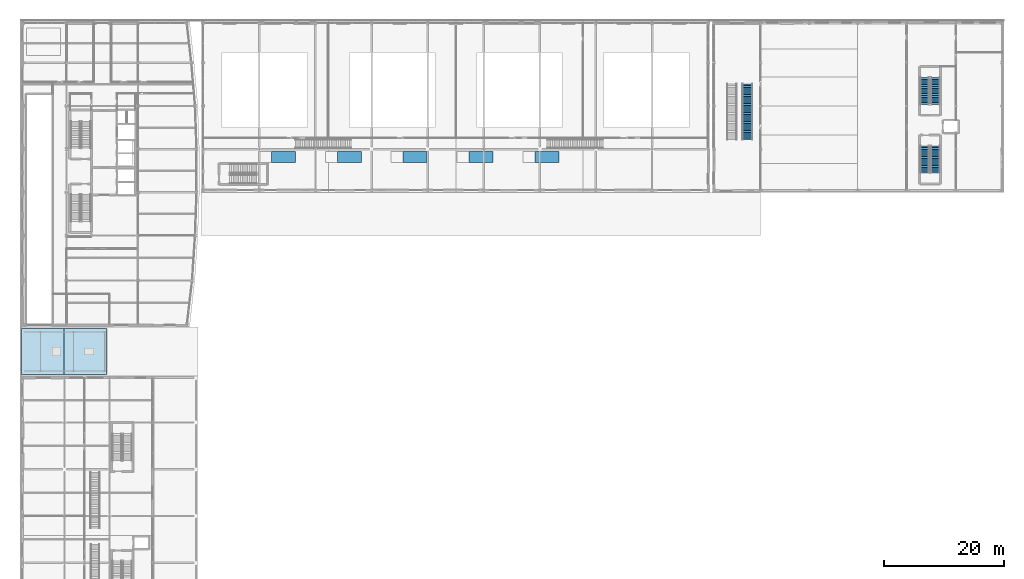
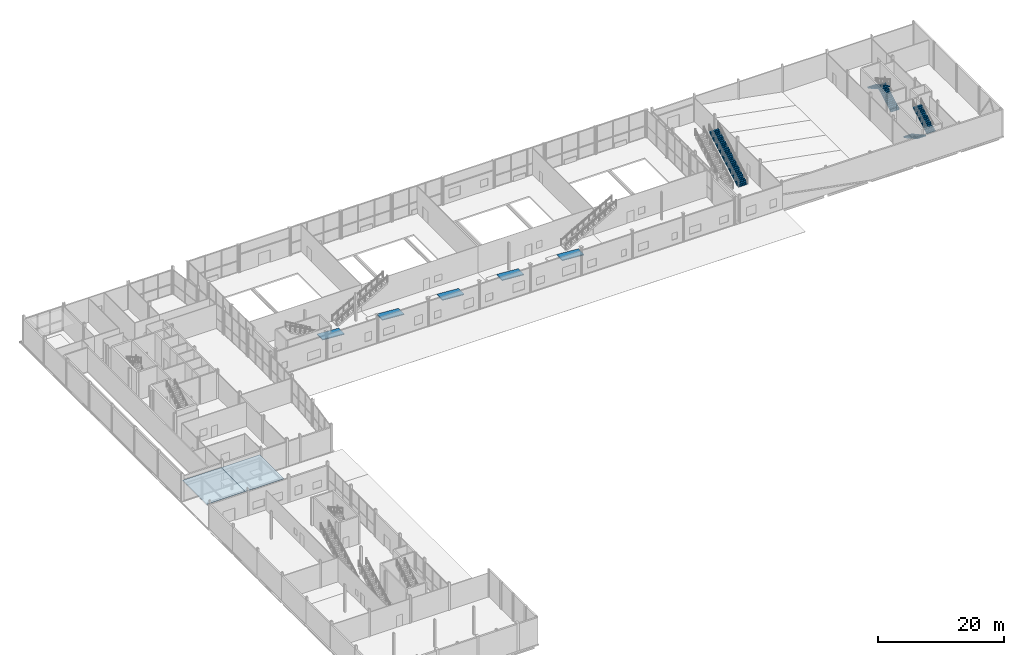
# One storey, part 74 of 83: 5 ramp flights, 5 stair flights, 2 roofs, 8 elements without a shape of their own.
"""IFC4 building model written with IfcOpenShell, lengths in metres."""

from ifc_helpers import new_model, si_unit, direction, frame, origin, place, context, subcontext, project, spatial, polyline, outline, extrude, material, type_object, element, aggregate, save


model = new_model("IFC4")

# Units and contexts
model_context = context("Model", 3, precision=1e-05, world=origin(), true_north=direction((0.0, 1.0)))
body_context = subcontext(model_context, "Body", "Model", "MODEL_VIEW")
ifc_project = project(units=[si_unit("LENGTHUNIT", "METRE"), si_unit("AREAUNIT", "SQUARE_METRE"), si_unit("VOLUMEUNIT", "CUBIC_METRE"), si_unit("PLANEANGLEUNIT", "RADIAN"), si_unit("MASSUNIT", "GRAM", prefix="KILO")], contexts=[model_context])

# Site, building, storey
site_placement = place(None, origin())
site = spatial("IfcSite", under=ifc_project, at=site_placement, CompositionType="ELEMENT")
building_placement = place(site_placement, origin())
building = spatial("IfcBuilding", under=site, at=building_placement, Name="Quillay Park Conservatory", CompositionType="ELEMENT")
storey_placement = place(building_placement, origin())
storey = spatial("IfcBuildingStorey", under=building, at=storey_placement, Name="L00", CompositionType="ELEMENT", Elevation=0.0)

# Stair, stair flight
ifc_material_1 = material(Name="Steel ASTM A992 Grade 50", Category="steel")
stair_type_1 = type_object("IfcStairType", Name="STRAIGHT FEATURE STAIR 06", PredefinedType="STRAIGHT_RUN_STAIR", material=ifc_material_1)
stair_1_placement = place(storey_placement, origin())
stair_1 = element("IfcStair", 1, at=stair_1_placement, inside=storey, type_object=stair_type_1, Name="L00 Feature Straight Stair 06", PredefinedType="STRAIGHT_RUN_STAIR")
ifc_material_2 = material(Name="Steel ASTM A992 Grade 50", Category="steel")
stair_flight_type_1 = type_object("IfcStairFlightType", Name="STRAIGHT FEATURE FLIGHT 06", PredefinedType="STRAIGHT", material=ifc_material_2)
stair_flight_1_placement = place(storey_placement, frame((121.39990234375, 94.0, 0.0), z_axis=(0.0, 0.0, 1.0), x_axis=(0.0, 1.0, 0.0)))
stair_flight_1 = element("IfcStairFlight", 2, at=stair_flight_1_placement, type_object=stair_flight_type_1, Name="ST-FT06 flight 1", NumberOfRisers=32, NumberOfTreads=31, PredefinedType="STRAIGHT", RiserHeight=0.16875, TreadLength=0.3, context=body_context, shape_type="SweptSolid", body=[
    extrude(outline(polyline([(0.0, 0.0), (0.0, 0.168701171875), (0.300048828125, 0.168701171875), (0.300048828125, 0.33740234375), (0.60009765625, 0.33740234375), (0.60009765625, 0.50634765625), (0.89990234375, 0.50634765625), (0.89990234375, 0.675048828125), (1.199951171875, 0.675048828125), (1.199951171875, 0.84375), (1.5, 0.84375), (1.5, 1.012451171875), (1.800048828125, 1.012451171875), (1.800048828125, 1.18115234375), (2.10009765625, 1.18115234375), (2.10009765625, 1.35009765625), (2.39990234375, 1.35009765625), (2.39990234375, 1.518798828125), (2.699951171875, 1.518798828125), (2.699951171875, 1.6875), (3.0, 1.6875), (3.0, 1.856201171875), (3.300048828125, 1.856201171875), (3.300048828125, 2.02490234375), (3.60009765625, 2.02490234375), (3.60009765625, 2.19384765625), (3.89990234375, 2.19384765625), (3.89990234375, 2.362548828125), (4.199951171875, 2.362548828125), (4.199951171875, 2.53125), (4.5, 2.53125), (4.5, 2.699951171875), (4.800048828125, 2.699951171875), (4.800048828125, 2.86865234375), (5.10009765625, 2.86865234375), (5.10009765625, 3.03759765625), (5.39990234375, 3.03759765625), (5.39990234375, 3.206298828125), (5.699951171875, 3.206298828125), (5.699951171875, 3.375), (6.0, 3.375), (6.0, 3.543701171875), (6.300048828125, 3.543701171875), (6.300048828125, 3.71240234375), (6.60009765625, 3.71240234375), (6.60009765625, 3.88134765625), (6.89990234375, 3.88134765625), (6.89990234375, 4.050048828125), (7.199951171875, 4.050048828125), (7.199951171875, 4.21875), (7.5, 4.21875), (7.5, 4.387451171875), (7.800048828125, 4.387451171875), (7.800048828125, 4.55615234375), (8.10009765625, 4.55615234375), (8.10009765625, 4.72509765625), (8.39990234375, 4.72509765625), (8.39990234375, 4.893798828125), (8.699951171875, 4.893798828125), (8.699951171875, 5.0625), (9.0, 5.0625), (9.0, 5.231201171875), (9.300048828125, 5.231201171875), (9.300048828125, 5.39990234375), (9.300048828125, 4.955810546875), (0.489501953125, 0.0), (0.0, 0.0)])), frame((0.0, 0.85009765625, 0.0), z_axis=(0.0, -1.0, 0.0), x_axis=(1.0, 0.0, 0.0)), (0.0, 0.0, 1.0), 1.699951171875),
])
aggregate(stair_1, [stair_flight_1])

# Stair, stair flights
ifc_material_3 = material(Name="Concrete C35/45 (NCh170 Concrete C35/45)", Category="concrete")
stair_type_2 = type_object("IfcStairType", Name="ENCLOSED DOG LEG STAIR 5400", PredefinedType="HALF_TURN_STAIR", material=ifc_material_3)
stair_2_placement = place(storey_placement, origin())
stair_2 = element("IfcStair", 3, at=stair_2_placement, inside=storey, type_object=stair_type_2, Name="L00 Auditorium Exit Stair 1", PredefinedType="HALF_TURN_STAIR")
ifc_material_4 = material(Name="Concrete C35/45 (NCh170 Concrete C35/45)", Category="concrete")
stair_flight_type_2 = type_object("IfcStairFlightType", Name="STRAIGHT STAIR FLIGHT 5400", PredefinedType="STRAIGHT", material=ifc_material_4)
stair_flight_2_placement = place(storey_placement, frame((150.97998046875, 92.949951171875, 0.0), z_axis=(0.0, 0.0, 1.0), x_axis=(0.0, -1.0, 0.0)))
stair_flight_2 = element("IfcStairFlight", 4, at=stair_flight_2_placement, type_object=stair_flight_type_2, Name="ST-A1 flight 1", NumberOfRisers=16, NumberOfTreads=15, PredefinedType="STRAIGHT", RiserHeight=0.16875, TreadLength=0.3, context=body_context, shape_type="SweptSolid", body=[
    extrude(outline(polyline([(0.0, 0.0), (0.0, 0.168701171875), (0.300048828125, 0.168701171875), (0.300048828125, 0.33740234375), (0.60009765625, 0.33740234375), (0.60009765625, 0.50634765625), (0.89990234375, 0.50634765625), (0.89990234375, 0.675048828125), (1.199951171875, 0.675048828125), (1.199951171875, 0.84375), (1.5, 0.84375), (1.5, 1.012451171875), (1.800048828125, 1.012451171875), (1.800048828125, 1.18115234375), (2.10009765625, 1.18115234375), (2.10009765625, 1.35009765625), (2.39990234375, 1.35009765625), (2.39990234375, 1.518798828125), (2.699951171875, 1.518798828125), (2.699951171875, 1.6875), (3.0, 1.6875), (3.0, 1.856201171875), (3.300048828125, 1.856201171875), (3.300048828125, 2.02490234375), (3.60009765625, 2.02490234375), (3.60009765625, 2.19384765625), (3.89990234375, 2.19384765625), (3.89990234375, 2.362548828125), (4.199951171875, 2.362548828125), (4.199951171875, 2.53125), (4.5, 2.53125), (4.5, 2.699951171875), (4.5, 2.359375), (0.3056640625, 0.0), (0.0, 0.0)])), frame((0.0, 0.780029296875, 0.0), z_axis=(0.0, -1.0, 0.0), x_axis=(1.0, 0.0, 0.0)), (0.0, 0.0, 1.0), 1.56005859375),
])
stair_flight_3_placement = place(storey_placement, frame((152.739990234375, 88.449951171875, 2.699951171875), z_axis=(0.0, 0.0, 1.0), x_axis=(0.0, 1.0, 0.0)))
stair_flight_3 = element("IfcStairFlight", 5, at=stair_flight_3_placement, type_object=stair_flight_type_2, Name="ST-A1 flight 2", NumberOfRisers=16, NumberOfTreads=15, PredefinedType="STRAIGHT", RiserHeight=0.16875, TreadLength=0.3, context=body_context, shape_type="SweptSolid", body=[
    extrude(outline(polyline([(0.0, 0.0), (0.0, 0.168701171875), (0.300048828125, 0.168701171875), (0.300048828125, 0.33740234375), (0.60009765625, 0.33740234375), (0.60009765625, 0.50634765625), (0.89990234375, 0.50634765625), (0.89990234375, 0.675048828125), (1.199951171875, 0.675048828125), (1.199951171875, 0.84375), (1.5, 0.84375), (1.5, 1.012451171875), (1.800048828125, 1.012451171875), (1.800048828125, 1.18115234375), (2.10009765625, 1.18115234375), (2.10009765625, 1.35009765625), (2.39990234375, 1.35009765625), (2.39990234375, 1.518798828125), (2.699951171875, 1.518798828125), (2.699951171875, 1.6875), (3.0, 1.6875), (3.0, 1.856201171875), (3.300048828125, 1.856201171875), (3.300048828125, 2.02490234375), (3.60009765625, 2.02490234375), (3.60009765625, 2.19384765625), (3.89990234375, 2.19384765625), (3.89990234375, 2.362548828125), (4.199951171875, 2.362548828125), (4.199951171875, 2.53125), (4.5, 2.53125), (4.5, 2.699951171875), (4.5, 2.359375), (0.3056640625, 0.0), (0.0, 0.0)])), frame((0.0, 0.780029296875, 0.0), z_axis=(0.0, -1.0, 0.0), x_axis=(1.0, 0.0, 0.0)), (0.0, 0.0, 1.0), 1.56005859375),
])
aggregate(stair_2, [stair_flight_2, stair_flight_3])

stair_3_placement = place(storey_placement, origin())
stair_3 = element("IfcStair", 6, at=stair_3_placement, inside=storey, type_object=stair_type_2, Name="L00 Auditorium Exit Stair 2", PredefinedType="HALF_TURN_STAIR")
stair_flight_4_placement = place(storey_placement, frame((152.739990234375, 99.85009765625, 0.0), z_axis=(0.0, 0.0, 1.0), x_axis=(0.0, 1.0, 0.0)))
stair_flight_4 = element("IfcStairFlight", 7, at=stair_flight_4_placement, type_object=stair_flight_type_2, Name="ST-A2 flight 1", NumberOfRisers=16, NumberOfTreads=15, PredefinedType="STRAIGHT", RiserHeight=0.16875, TreadLength=0.3, context=body_context, shape_type="SweptSolid", body=[
    extrude(outline(polyline([(0.0, 0.0), (0.0, 0.168701171875), (0.300048828125, 0.168701171875), (0.300048828125, 0.33740234375), (0.60009765625, 0.33740234375), (0.60009765625, 0.50634765625), (0.89990234375, 0.50634765625), (0.89990234375, 0.675048828125), (1.199951171875, 0.675048828125), (1.199951171875, 0.84375), (1.5, 0.84375), (1.5, 1.012451171875), (1.800048828125, 1.012451171875), (1.800048828125, 1.18115234375), (2.10009765625, 1.18115234375), (2.10009765625, 1.35009765625), (2.39990234375, 1.35009765625), (2.39990234375, 1.518798828125), (2.699951171875, 1.518798828125), (2.699951171875, 1.6875), (3.0, 1.6875), (3.0, 1.856201171875), (3.300048828125, 1.856201171875), (3.300048828125, 2.02490234375), (3.60009765625, 2.02490234375), (3.60009765625, 2.19384765625), (3.89990234375, 2.19384765625), (3.89990234375, 2.362548828125), (4.199951171875, 2.362548828125), (4.199951171875, 2.53125), (4.5, 2.53125), (4.5, 2.699951171875), (4.5, 2.359375), (0.3056640625, 0.0), (0.0, 0.0)])), frame((0.0, 0.780029296875, 0.0), z_axis=(0.0, -1.0, 0.0), x_axis=(1.0, 0.0, 0.0)), (0.0, 0.0, 1.0), 1.56005859375),
])
stair_flight_5_placement = place(storey_placement, frame((150.97998046875, 104.35009765625, 2.699951171875), z_axis=(0.0, 0.0, 1.0), x_axis=(0.0, -1.0, 0.0)))
stair_flight_5 = element("IfcStairFlight", 8, at=stair_flight_5_placement, type_object=stair_flight_type_2, Name="ST-A2 flight 2", NumberOfRisers=16, NumberOfTreads=15, PredefinedType="STRAIGHT", RiserHeight=0.16875, TreadLength=0.3, context=body_context, shape_type="SweptSolid", body=[
    extrude(outline(polyline([(0.0, 0.0), (0.0, 0.168701171875), (0.300048828125, 0.168701171875), (0.300048828125, 0.33740234375), (0.60009765625, 0.33740234375), (0.60009765625, 0.50634765625), (0.89990234375, 0.50634765625), (0.89990234375, 0.675048828125), (1.199951171875, 0.675048828125), (1.199951171875, 0.84375), (1.5, 0.84375), (1.5, 1.012451171875), (1.800048828125, 1.012451171875), (1.800048828125, 1.18115234375), (2.10009765625, 1.18115234375), (2.10009765625, 1.35009765625), (2.39990234375, 1.35009765625), (2.39990234375, 1.518798828125), (2.699951171875, 1.518798828125), (2.699951171875, 1.6875), (3.0, 1.6875), (3.0, 1.856201171875), (3.300048828125, 1.856201171875), (3.300048828125, 2.02490234375), (3.60009765625, 2.02490234375), (3.60009765625, 2.19384765625), (3.89990234375, 2.19384765625), (3.89990234375, 2.362548828125), (4.199951171875, 2.362548828125), (4.199951171875, 2.53125), (4.5, 2.53125), (4.5, 2.699951171875), (4.5, 2.359375), (0.3056640625, 0.0), (0.0, 0.0)])), frame((0.0, 0.780029296875, 0.0), z_axis=(0.0, -1.0, 0.0), x_axis=(1.0, 0.0, 0.0)), (0.0, 0.0, 1.0), 1.56005859375),
])
aggregate(stair_3, [stair_flight_4, stair_flight_5])

# Ramp, ramp flight
ifc_material_5 = material(Name="Concrete C35/45 (NCh170 Concrete C35/45)", Category="concrete")
ramp_type = type_object("IfcRampType", Name="ACCESSIBLE PEDESTRIAN RAMP", PredefinedType="USERDEFINED", material=ifc_material_5)
ramp_1_placement = place(storey_placement, origin())
ramp_1 = element("IfcRamp", 9, at=ramp_1_placement, inside=storey, type_object=ramp_type, Name="Accessible Pedestrian Ramp RAMP-PED-1", ObjectType="ACCESSIBLE PEDESTRIAN RAMP", PredefinedType="USERDEFINED")
ifc_material_6 = material(Name="Concrete C35/45 (NCh170 Concrete C35/45)", Category="concrete")
ramp_flight_type = type_object("IfcRampFlightType", Name="ACCESSIBLE RAMP FLIGHT 180", PredefinedType="STRAIGHT", material=ifc_material_6)
ramp_flight_1_placement = place(storey_placement, frame((42.0, 90.199951171875, 0.280029296875), z_axis=(0.069836398408, 0.0, 0.997558458165), x_axis=(0.997558458165, 0.0, -0.069836398408)))
ramp_flight_1 = element("IfcRampFlight", 10, at=ramp_flight_1_placement, type_object=ramp_flight_type, Name="RAMP-PED-1 Straight Flight", PredefinedType="STRAIGHT", context=body_context, shape_type="SweptSolid", body=[
    extrude(outline(polyline([(0.0, 0.0), (4.009790070204213, 0.0), (4.009790070204213, 1.8000488281250004), (0.0, 1.8000488281250004), (0.0, 0.0)])), origin(), (0.0, 0.0, -1.0), 0.179931640625),
])
aggregate(ramp_1, [ramp_flight_1])

ramp_2_placement = place(storey_placement, origin())
ramp_2 = element("IfcRamp", 11, at=ramp_2_placement, inside=storey, type_object=ramp_type, Name="Accessible Pedestrian Ramp RAMP-PED-2", ObjectType="ACCESSIBLE PEDESTRIAN RAMP", PredefinedType="USERDEFINED")
ramp_flight_2_placement = place(storey_placement, frame((53.0, 90.199951171875, 0.280029296875), z_axis=(0.069836398408, 0.0, 0.997558458165), x_axis=(0.997558458165, 0.0, -0.069836398408)))
ramp_flight_2 = element("IfcRampFlight", 12, at=ramp_flight_2_placement, type_object=ramp_flight_type, Name="RAMP-PED-2 Straight Flight", PredefinedType="STRAIGHT", context=body_context, shape_type="SweptSolid", body=[
    extrude(outline(polyline([(0.0, 0.0), (4.009790070204213, 0.0), (4.009790070204213, 1.8000488281250004), (0.0, 1.8000488281250004), (0.0, 0.0)])), origin(), (0.0, 0.0, -1.0), 0.179931640625),
])
aggregate(ramp_2, [ramp_flight_2])

ramp_3_placement = place(storey_placement, origin())
ramp_3 = element("IfcRamp", 13, at=ramp_3_placement, inside=storey, type_object=ramp_type, Name="Accessible Pedestrian Ramp RAMP-PED-3", ObjectType="ACCESSIBLE PEDESTRIAN RAMP", PredefinedType="USERDEFINED")
ramp_flight_3_placement = place(storey_placement, frame((64.0, 90.199951171875, 0.280029296875), z_axis=(0.069836398408, 0.0, 0.997558458165), x_axis=(0.997558458165, 0.0, -0.069836398408)))
ramp_flight_3 = element("IfcRampFlight", 14, at=ramp_flight_3_placement, type_object=ramp_flight_type, Name="RAMP-PED-3 Straight Flight", PredefinedType="STRAIGHT", context=body_context, shape_type="SweptSolid", body=[
    extrude(outline(polyline([(0.0, 0.0), (4.009790070204213, 0.0), (4.009790070204213, 1.8000488281250004), (0.0, 1.8000488281250004), (0.0, 0.0)])), origin(), (0.0, 0.0, -1.0), 0.179931640625),
])
aggregate(ramp_3, [ramp_flight_3])

ramp_4_placement = place(storey_placement, origin())
ramp_4 = element("IfcRamp", 15, at=ramp_4_placement, inside=storey, type_object=ramp_type, Name="Accessible Pedestrian Ramp RAMP-PED-4", ObjectType="ACCESSIBLE PEDESTRIAN RAMP", PredefinedType="USERDEFINED")
ramp_flight_4_placement = place(storey_placement, frame((75.0, 90.199951171875, 0.280029296875), z_axis=(0.069836398408, 0.0, 0.997558458165), x_axis=(0.997558458165, 0.0, -0.069836398408)))
ramp_flight_4 = element("IfcRampFlight", 16, at=ramp_flight_4_placement, type_object=ramp_flight_type, Name="RAMP-PED-4 Straight Flight", PredefinedType="STRAIGHT", context=body_context, shape_type="SweptSolid", body=[
    extrude(outline(polyline([(0.0, 0.0), (4.009790070204213, 0.0), (4.009790070204213, 1.8000488281250004), (0.0, 1.8000488281250004), (0.0, 0.0)])), origin(), (0.0, 0.0, -1.0), 0.179931640625),
])
aggregate(ramp_4, [ramp_flight_4])

ramp_5_placement = place(storey_placement, origin())
ramp_5 = element("IfcRamp", 17, at=ramp_5_placement, inside=storey, type_object=ramp_type, Name="Accessible Pedestrian Ramp RAMP-PED-5", ObjectType="ACCESSIBLE PEDESTRIAN RAMP", PredefinedType="USERDEFINED")
ramp_flight_5_placement = place(storey_placement, frame((86.0, 90.199951171875, 0.280029296875), z_axis=(0.069836398408, 0.0, 0.997558458165), x_axis=(0.997558458165, 0.0, -0.069836398408)))
ramp_flight_5 = element("IfcRampFlight", 18, at=ramp_flight_5_placement, type_object=ramp_flight_type, Name="RAMP-PED-5 Straight Flight", PredefinedType="STRAIGHT", context=body_context, shape_type="SweptSolid", body=[
    extrude(outline(polyline([(0.0, 0.0), (4.009790070204213, 0.0), (4.009790070204213, 1.8000488281250004), (0.0, 1.8000488281250004), (0.0, 0.0)])), origin(), (0.0, 0.0, -1.0), 0.179931640625),
])
aggregate(ramp_5, [ramp_flight_5])

# Roofs
ifc_material_7 = material(Name="Insulated TPO & Extensive Vegetated Roof Assembly", Category="aluminium")
roof_type = type_object("IfcRoofType", Name="FACETED CANOPY ROOF ASSEMBLY", PredefinedType="FREEFORM", material=ifc_material_7)
roof_1_placement = place(storey_placement, frame((0.0, 0.0, 4.300048828125)))
element("IfcRoof", 19, at=roof_1_placement, inside=storey, type_object=roof_type, Name="Canopy Roof Assembly 1", PredefinedType="FREEFORM", context=body_context, shape_type="SweptSolid", body=[
    extrude(outline(polyline([(0.300048828125, 54.800048828125), (7.39990234375, 54.800048828125), (7.39990234375, 62.5), (0.300048828125, 62.5), (0.300048828125, 54.800048828125)])), origin(), (0.0, 0.0, 1.0), 0.054931640625),
])
roof_2_placement = place(storey_placement, frame((0.0, 0.0, 4.300048828125)))
element("IfcRoof", 20, at=roof_2_placement, inside=storey, type_object=roof_type, Name="Canopy Roof Assembly 2", PredefinedType="FREEFORM", context=body_context, shape_type="SweptSolid", body=[
    extrude(outline(polyline([(7.39990234375, 54.800048828125), (14.5, 54.800048828125), (14.5, 62.5), (7.39990234375, 62.5), (7.39990234375, 54.800048828125)])), origin(), (0.0, 0.0, 1.0), 0.054931640625),
])

save(model, "model.ifc")
